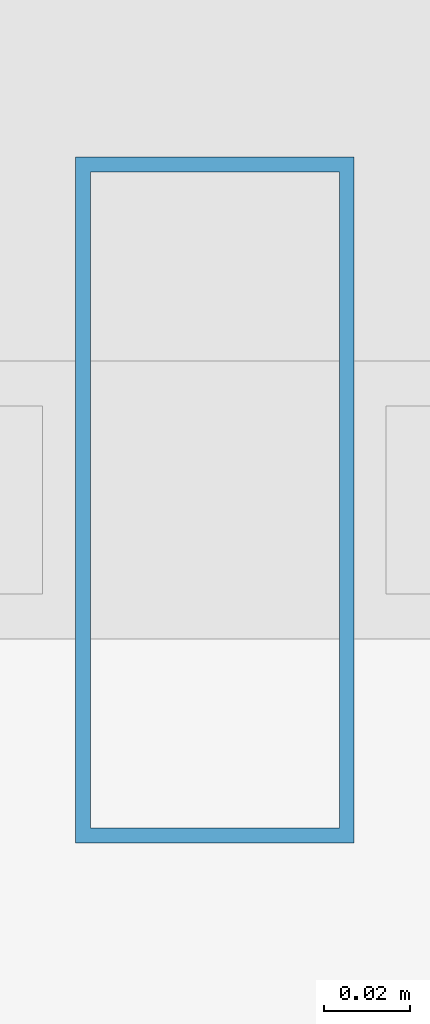
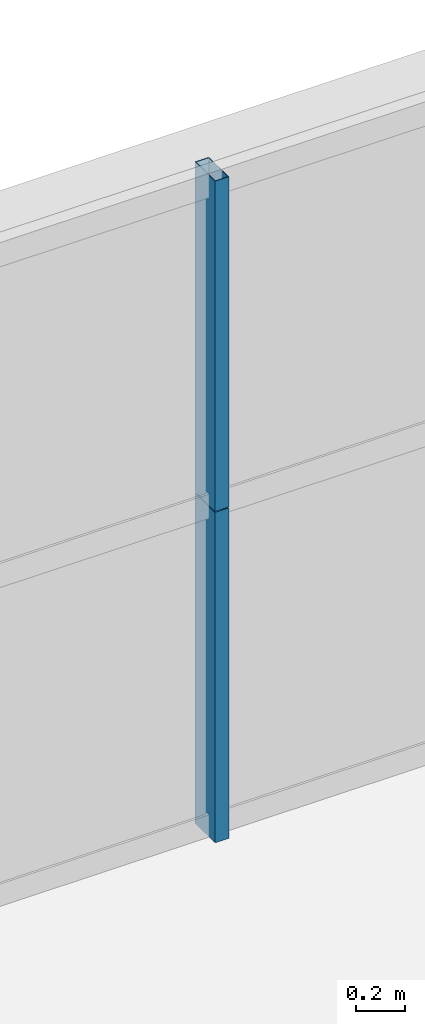
# One storey, part 29 of 42: 2 members, 1 element without a shape of its own.
"""IFC4 building model written with IfcOpenShell, lengths in metres."""

from ifc_helpers import new_model, si_unit, direction, frame, origin, origin_2d, place, context, subcontext, project, spatial, hollow_rectangle, extrude, source, transform, mapped, material, layer, layer_set, material_profile, profile_set, type_object, element, aggregate, save


model = new_model("IFC4")

# Units and contexts
model_context = context("Model", 3, precision=1e-05, world=origin(), true_north=direction((0.0, 1.0)))
body_context = subcontext(model_context, "Body", "Model", "MODEL_VIEW")
ifc_project = project(units=[si_unit("LENGTHUNIT", "METRE"), si_unit("AREAUNIT", "SQUARE_METRE"), si_unit("VOLUMEUNIT", "CUBIC_METRE"), si_unit("PLANEANGLEUNIT", "RADIAN"), si_unit("MASSUNIT", "GRAM", prefix="KILO"), si_unit("THERMODYNAMICTEMPERATUREUNIT", "KELVIN"), si_unit("POWERUNIT", "WATT")], contexts=[model_context])

# Site, building, storey
site_placement = place(None, origin())
site = spatial("IfcSite", under=ifc_project, at=site_placement, CompositionType="ELEMENT")
building_placement = place(site_placement, origin())
building = spatial("IfcBuilding", under=site, at=building_placement, Name="Yuzanri Waterfront Tower", CompositionType="ELEMENT")
storey_placement = place(building_placement, frame((0.0, 0.0, 205.5)))
storey = spatial("IfcBuildingStorey", under=building, at=storey_placement, Name="L54", CompositionType="ELEMENT", Elevation=205.5)

# Curtain wall, members
ifc_material_1 = material(Name="Anodized Architectural Bronze", Category="metal")
ifc_layer = layer(ifc_material_1, 0.159912109375)
ifc_layer_set = layer_set([ifc_layer], Name="Anodized Architectural Bronze")
curtain_wall_type = type_object("IfcCurtainWallType", Name="Anodized Bronze Mid-Rise Residential Acoustic Unitized Curtain Wall 7200", PredefinedType="NOTDEFINED", material=ifc_layer_set)
curtain_wall_placement = place(storey_placement, origin())
curtain_wall = element("IfcCurtainWall", 1, at=curtain_wall_placement, inside=storey, type_object=curtain_wall_type, Name="L54 Curtain Wall CW-L54-NL", PredefinedType="NOTDEFINED")
ifc_material_2 = material(Name="Anodized Architectural Bronze", Category="metal")
ifc_material_profile = material_profile(ifc_material_2, hollow_rectangle(XDim=0.06494140625, YDim=0.159912109375, WallThickness=0.00341796875, at=origin_2d()), Name="CWM 65x160")
ifc_profile_set = profile_set([ifc_material_profile], Name="Anodized Architectural Bronze")
member_type = type_object("IfcMemberType", Name="Anodized Bronze Upper-Zone Curtain-Wall Mullion 65x160", PredefinedType="MULLION", material=ifc_profile_set)
shared_shape = source(origin(), body_context, "Body", "SweptSolid", [
    extrude(hollow_rectangle(XDim=0.06494140625, YDim=0.159912109375, WallThickness=0.00341796875, at=origin_2d()), origin(), (0.0, 0.0, 1.0), 1.637939453125),
])
member_1_placement = place(storey_placement, frame((29.425048828125, 47.75, 0.0), z_axis=(0.0, 0.0, 1.0), x_axis=(1.0, 0.0, 0.0)))
member_1 = element("IfcMember", 2, at=member_1_placement, type_object=member_type, Name="CW-L54-NL Lower Mullion 01", PredefinedType="MULLION", context=body_context, shape_type="MappedRepresentation", body=[
    mapped(shared_shape, transform((0.0, 0.0, 0.0), scale=1.0)),
])
member_2_placement = place(storey_placement, frame((29.425048828125, 47.75, 1.64208984375), z_axis=(0.0, 0.0, 1.0), x_axis=(1.0, 0.0, 0.0)))
member_2 = element("IfcMember", 3, at=member_2_placement, type_object=member_type, Name="CW-L54-NL Upper Mullion 01", PredefinedType="MULLION", context=body_context, shape_type="MappedRepresentation", body=[
    mapped(shared_shape, transform((0.0, 0.0, 0.0), scale=1.0)),
])
aggregate(curtain_wall, [member_1, member_2])

save(model, "model.ifc")
